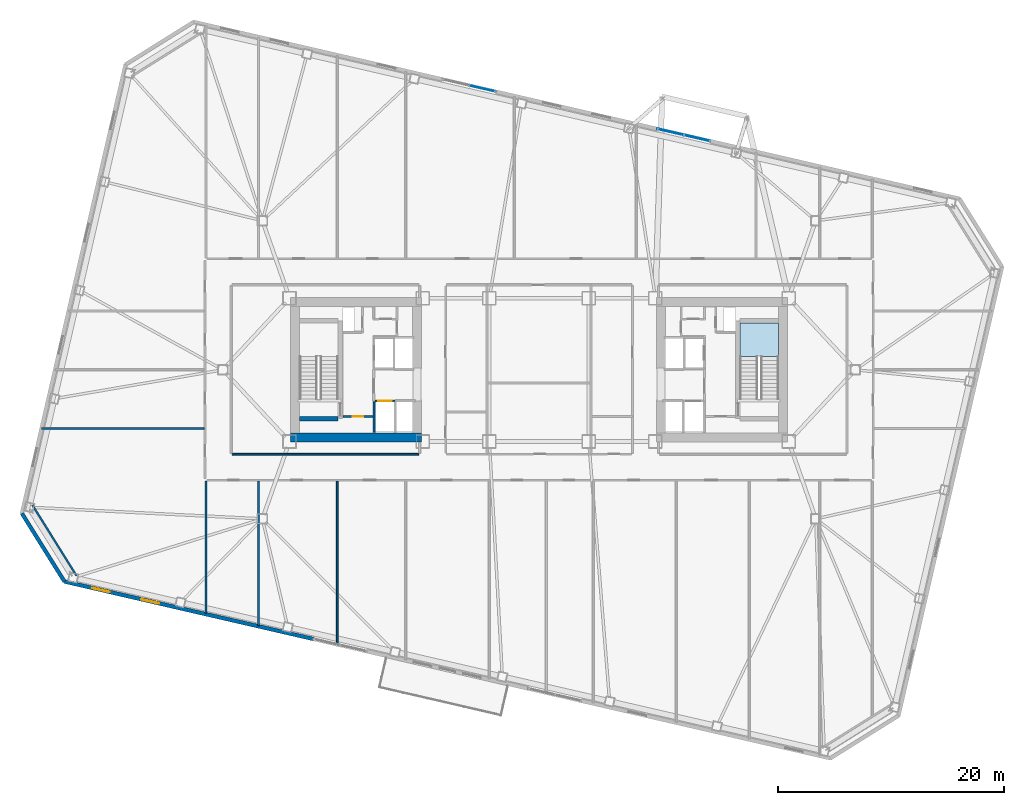
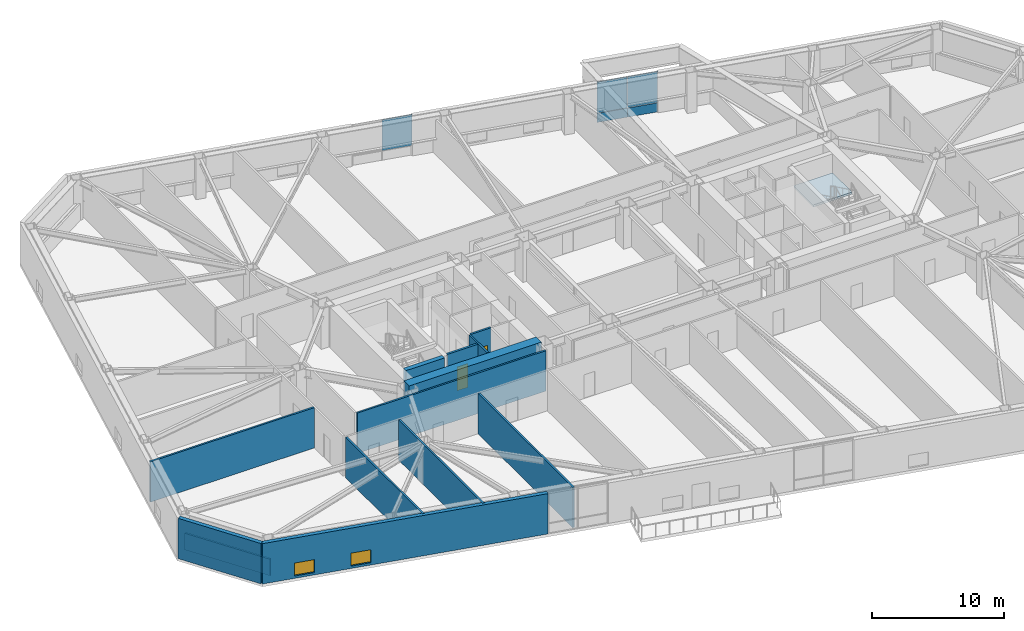
# One storey, part 9 of 21: 13 walls, 5 plates, 2 doors, 2 windows, 1 slab, 4 openings, 3 elements without a shape of their own.
"""IFC4 building model written with IfcOpenShell, lengths in metres."""

from ifc_helpers import new_model, si_unit, direction, frame, frame_2d, origin, origin_2d, place, context, subcontext, project, spatial, polyline, rectangle, outline, extrude, material, layer, layer_set, type_object, element, fill, aggregate, save


model = new_model("IFC4")

# Units and contexts
model_context = context("Model", 3, precision=1e-05, world=origin(), true_north=direction((0.0, 1.0)))
body_context = subcontext(model_context, "Body", "Model", "MODEL_VIEW")
ifc_project = project(units=[si_unit("LENGTHUNIT", "METRE"), si_unit("AREAUNIT", "SQUARE_METRE"), si_unit("VOLUMEUNIT", "CUBIC_METRE"), si_unit("PLANEANGLEUNIT", "RADIAN"), si_unit("MASSUNIT", "GRAM", prefix="KILO")], contexts=[model_context])

# Site, building, storey
site_placement = place(None, origin())
site = spatial("IfcSite", under=ifc_project, at=site_placement, CompositionType="ELEMENT")
building_placement = place(site_placement, origin())
building = spatial("IfcBuilding", under=site, at=building_placement, Name="Tavrogorsk Clinical Tower", CompositionType="ELEMENT")
storey_placement = place(building_placement, frame((0.0, 0.0, 59.39990234375)))
storey = spatial("IfcBuildingStorey", under=building, at=storey_placement, Name="L12", CompositionType="ELEMENT", Elevation=59.39990234375)

# Curtain wall, plates
ifc_material_1 = material(Name="Anodised aluminium and triple IGU glazing", Category="aluminium")
ifc_layer_1 = layer(ifc_material_1, 0.179931640625)
ifc_layer_set_1 = layer_set([ifc_layer_1], Name="Anodised aluminium and triple IGU glazing")
curtain_wall_type = type_object("IfcCurtainWallType", Name="CW2_NorthSlot", PredefinedType="NOTDEFINED", material=ifc_layer_set_1)
curtain_wall_1_placement = place(storey_placement, origin())
curtain_wall_1 = element("IfcCurtainWall", 1, at=curtain_wall_1_placement, inside=storey, type_object=curtain_wall_type, Name="L12 Curtain Wall CW-L12-N-SLOT-2", PredefinedType="NOTDEFINED")
ifc_material_2 = material(Name="Honed Podolsk limestone spandrel panel", Category="masonry")
ifc_layer_2 = layer(ifc_material_2, 0.080078125)
ifc_layer_set_2 = layer_set([ifc_layer_2], Name="Honed Podolsk limestone spandrel panel")
plate_type_1 = type_object("IfcPlateType", Name="CwSpandrelStonePanel_80", PredefinedType="CURTAIN_PANEL", material=ifc_layer_set_2)
plate_1_placement = place(storey_placement, frame((13.996337890625, 20.513427734375, 0.002197265625), z_axis=(0.0, 0.0, 1.0), x_axis=(-0.974370046851, 0.224951132027, 0.0)))
plate_1 = element("IfcPlate", 2, at=plate_1_placement, type_object=plate_type_1, Name="CW-L12-N-SLOT-2 Stone Spandrel Panel 1", PredefinedType="CURTAIN_PANEL", context=body_context, shape_type="SweptSolid", body=[
    extrude(rectangle(XDim=2.39208984375, YDim=0.080078125, at=origin_2d()), origin(), (0.0, 0.0, 1.0), 0.8359375),
])
plate_2_placement = place(storey_placement, frame((11.642333984375, 21.05712890625, 0.002197265625), z_axis=(0.0, 0.0, 1.0), x_axis=(-0.974370046851, 0.224951132027, 0.0)))
plate_2 = element("IfcPlate", 3, at=plate_2_placement, type_object=plate_type_1, Name="CW-L12-N-SLOT-2 Stone Spandrel Panel 2", PredefinedType="CURTAIN_PANEL", context=body_context, shape_type="SweptSolid", body=[
    extrude(rectangle(XDim=2.39208984375, YDim=0.080078125, at=origin_2d()), origin(), (0.0, 0.0, 1.0), 0.8359375),
])

# Curtain wall, plate
curtain_wall_2_placement = place(storey_placement, origin())
curtain_wall_2 = element("IfcCurtainWall", 4, at=curtain_wall_2_placement, inside=storey, type_object=curtain_wall_type, Name="L12 Curtain Wall CW-L12-N-SLOT-1", PredefinedType="NOTDEFINED")
ifc_material_3 = material(Name="Triple low-E argon insulated glass", Category="glass")
ifc_layer_3 = layer(ifc_material_3, 0.048095703125)
ifc_layer_set_3 = layer_set([ifc_layer_3], Name="Triple low-E argon insulated glass")
plate_type_2 = type_object("IfcPlateType", Name="CwVisionGlassPanel_48", PredefinedType="CURTAIN_PANEL", material=ifc_layer_set_3)
plate_3_placement = place(storey_placement, frame((-5.001220703125, 24.8994140625, 0.862060546875), z_axis=(0.0, 0.0, 1.0), x_axis=(-0.974370102963, 0.224950888978, 0.0)))
plate_3 = element("IfcPlate", 5, at=plate_3_placement, type_object=plate_type_2, Name="CW-L12-N-SLOT-1 Glazing Panel 1", PredefinedType="CURTAIN_PANEL", context=body_context, shape_type="SweptSolid", body=[
    extrude(rectangle(XDim=2.39208984375, YDim=0.048095703125, at=origin_2d()), origin(), (0.0, 0.0, 1.0), 2.8759765625),
])
aggregate(curtain_wall_2, [plate_3])

# Plate
plate_4_placement = place(storey_placement, frame((13.996337890625, 20.513427734375, 0.862060546875), z_axis=(0.0, 0.0, 1.0), x_axis=(-0.974370046851, 0.224951132027, 0.0)))
plate_4 = element("IfcPlate", 6, at=plate_4_placement, type_object=plate_type_2, Name="CW-L12-N-SLOT-2 Glazing Panel 1", PredefinedType="CURTAIN_PANEL", context=body_context, shape_type="SweptSolid", body=[
    extrude(rectangle(XDim=2.39208984375, YDim=0.048095703125, at=origin_2d()), origin(), (0.0, 0.0, 1.0), 2.8759765625),
])

plate_5_placement = place(storey_placement, frame((11.642333984375, 21.05712890625, 0.862060546875), z_axis=(0.0, 0.0, 1.0), x_axis=(-0.974370046851, 0.224951132027, 0.0)))
plate_5 = element("IfcPlate", 7, at=plate_5_placement, type_object=plate_type_2, Name="CW-L12-N-SLOT-2 Glazing Panel 2", PredefinedType="CURTAIN_PANEL", context=body_context, shape_type="SweptSolid", body=[
    extrude(rectangle(XDim=2.39208984375, YDim=0.048095703125, at=origin_2d()), origin(), (0.0, 0.0, 1.0), 2.8759765625),
])

aggregate(curtain_wall_1, [plate_1, plate_4, plate_2, plate_5])

# Stair, slab
ifc_material_4 = material(Name="Concrete B60", Category="concrete")
stair_type = type_object("IfcStairType", Name="CoreStairAssembly", PredefinedType="HALF_TURN_STAIR", material=ifc_material_4)
stair_placement = place(storey_placement, origin())
stair = element("IfcStair", 8, at=stair_placement, inside=storey, type_object=stair_type, Name="L12 ST-E", PredefinedType="HALF_TURN_STAIR")
ifc_material_5 = material(Name="Concrete B60", Category="concrete")
ifc_layer_4 = layer(ifc_material_5, 0.199951171875)
ifc_layer_set_4 = layer_set([ifc_layer_4], Name="Concrete B60")
slab_type = type_object("IfcSlabType", Name="StairLanding_200", PredefinedType="LANDING", material=ifc_layer_set_4)
slab_placement = place(storey_placement, frame((0.0, 0.0, 1.800048828125)))
slab = element("IfcSlab", 9, at=slab_placement, type_object=slab_type, Name="ST-E landing 1", PredefinedType="LANDING", context=body_context, shape_type="SweptSolid", body=[
    extrude(outline(polyline([(21.199951171875, 1.1650390625), (21.199951171875, 4.125), (17.800048828125, 4.125), (17.800048828125, 1.1650390625), (21.199951171875, 1.1650390625)])), origin(), (0.0, 0.0, 1.0), 0.199951171875),
])
aggregate(stair, [slab])

# Wall, opening, door
ifc_material_6 = material(Name="Concrete B60", Category="concrete")
ifc_layer_5 = layer(ifc_material_6, 0.199951171875)
ifc_layer_set_5 = layer_set([ifc_layer_5], Name="Concrete B60")
wall_type_1 = type_object("IfcWallType", Name="CoreFireWall_200", PredefinedType="SOLIDWALL", material=ifc_layer_set_5)
wall_1_placement = place(storey_placement, frame((-17.3798828125, -4.139892578125, 0.0), z_axis=(0.0, 0.0, 1.0), x_axis=(1.0, 0.0, 0.0)))
wall_1 = element("IfcWall", 10, at=wall_1_placement, inside=storey, type_object=wall_type_1, Name="L12 Core West South Core Room Fire Wall", PredefinedType="SOLIDWALL", context=body_context, shape_type="SweptSolid", body=[
    extrude(rectangle(XDim=2.659912109375, YDim=0.199951171875, at=frame_2d((1.330078125, 0.0))), origin(), (0.0, 0.0, 1.0), 3.739990234375),
])
opening_1_placement = place(wall_1_placement, frame((0.8798828125, 0.0, 0.0)))
opening_1 = element("IfcOpeningElement", 11, at=opening_1_placement, cuts=wall_1, Name="Opening ID-02", PredefinedType="OPENING", context=body_context, shape_type="SweptSolid", body=[
    extrude(rectangle(XDim=0.949951171875, YDim=2.199951171875, at=frame_2d((0.47509765625, 1.10009765625))), frame((0.0, 0.10986328125, 0.0), z_axis=(0.0, -1.0, 0.0), x_axis=(1.0, 0.0, 0.0)), (0.0, 0.0, 1.0), 0.219970703125),
])
ifc_material_7 = material(Name="Laminated timber leaf on aluminium frame", Category="wood")
door_type_1 = type_object("IfcDoorType", Name="InteriorDoor_ID02_950", OperationType="NOTDEFINED", PredefinedType="DOOR", material=ifc_material_7)
door_1_placement = place(opening_1_placement, origin())
door_1 = element("IfcDoor", 12, at=door_1_placement, inside=storey, type_object=door_type_1, Name="L12 Core West South Core Room Door", OperationType="SINGLE_SWING_RIGHT", OverallHeight=2.199951171875, OverallWidth=0.949951171875, PredefinedType="DOOR", context=body_context, shape_type="SweptSolid", body=[
    extrude(rectangle(XDim=0.949951171875, YDim=2.199951171875, at=frame_2d((0.47509765625, 1.10009765625))), frame((0.0, 0.02490234375, 0.0), z_axis=(0.0, -1.0, 0.0), x_axis=(1.0, 0.0, 0.0)), (0.0, 0.0, 1.0), 0.050048828125),
])
fill(opening_1, door_1)

# Walls
ifc_material_8 = material(Name="Lightweight concrete blockwork B15", Category="masonry")
ifc_layer_6 = layer(ifc_material_8, 0.159912109375)
ifc_layer_set_6 = layer_set([ifc_layer_6], Name="Lightweight concrete blockwork B15")
wall_type_2 = type_object("IfcWallType", Name="PartitionWall_160", PredefinedType="PARTITIONING", material=ifc_layer_set_6)
wall_2_placement = place(storey_placement, frame((-44.85986328125, -11.9892578125, 0.0), z_axis=(0.0, 0.0, 1.0), x_axis=(0.52991239767, -0.848052386823, 0.0)))
element("IfcWall", 13, at=wall_2_placement, inside=storey, type_object=wall_type_2, Name="L12 Corner Exoskeleton Brace Furring Wall 4", PredefinedType="PARTITIONING", context=body_context, shape_type="SweptSolid", body=[
    extrude(rectangle(XDim=7.35400390625, YDim=0.159912109375, at=frame_2d((3.677001953125, 0.0))), origin(), (0.0, 0.0, 1.0), 1.53515625),
])
wall_3_placement = place(storey_placement, frame((-27.18505859375, -7.469970703125, 0.0), z_axis=(0.0, 0.0, 1.0), x_axis=(1.0, 0.0, 0.0)))
element("IfcWall", 14, at=wall_3_placement, inside=storey, type_object=wall_type_2, Name="L12 Corridor Partition 18", PredefinedType="PARTITIONING", context=body_context, shape_type="SweptSolid", body=[
    extrude(rectangle(XDim=16.52001953125, YDim=0.159912109375, at=frame_2d((8.260009765625, 0.0))), origin(), (0.0, 0.0, 1.0), 3.739990234375),
])
wall_4_placement = place(storey_placement, frame((-29.5, -21.570556640625, 0.0), z_axis=(0.0, 0.0, 1.0), x_axis=(0.0, 1.0, 0.0)))
element("IfcWall", 15, at=wall_4_placement, inside=storey, type_object=wall_type_2, Name="L12 SW Wing Closure Partition", PredefinedType="PARTITIONING", context=body_context, shape_type="SweptSolid", body=[
    extrude(rectangle(XDim=11.70556640625, YDim=0.159912109375, at=frame_2d((5.852783203125, 0.0))), origin(), (0.0, 0.0, 1.0), 3.739990234375),
])
wall_5_placement = place(storey_placement, frame((-24.85009765625, -22.64404296875, 0.0), z_axis=(0.0, 0.0, 1.0), x_axis=(0.0, 1.0, 0.0)))
element("IfcWall", 16, at=wall_5_placement, inside=storey, type_object=wall_type_2, Name="L12 South Room Partition 1", PredefinedType="PARTITIONING", context=body_context, shape_type="SweptSolid", body=[
    extrude(rectangle(XDim=12.779052734375, YDim=0.159912109375, at=frame_2d((6.3896484375, 0.0))), origin(), (0.0, 0.0, 1.0), 3.739990234375),
])
wall_6_placement = place(storey_placement, frame((-17.8798828125, -24.253173828125, 0.0), z_axis=(0.0, 0.0, 1.0), x_axis=(0.0, 1.0, 0.0)))
element("IfcWall", 17, at=wall_6_placement, inside=storey, type_object=wall_type_2, Name="L12 South Sub-Partition 2", PredefinedType="PARTITIONING", context=body_context, shape_type="SweptSolid", body=[
    extrude(rectangle(XDim=14.38818359375, YDim=0.159912109375, at=frame_2d((7.194091796875, 0.0))), origin(), (0.0, 0.0, 1.0), 3.739990234375),
])
wall_7_placement = place(storey_placement, frame((-44.0419921875, -5.199951171875, 0.0), z_axis=(0.0, 0.0, 1.0), x_axis=(1.0, 0.0, 0.0)))
element("IfcWall", 18, at=wall_7_placement, inside=storey, type_object=wall_type_2, Name="L12 W Wing Divider 1", PredefinedType="PARTITIONING", context=body_context, shape_type="SweptSolid", body=[
    extrude(rectangle(XDim=14.376953125, YDim=0.159912109375, at=frame_2d((7.1884765625, 0.0))), origin(), (0.0, 0.0, 1.0), 3.739990234375),
])

# Wall, openings, windows
ifc_material_9 = material(Name="Precast concrete B45 with limestone cladding", Category="masonry")
ifc_layer_7 = layer(ifc_material_9, 0.340087890625)
ifc_layer_set_7 = layer_set([ifc_layer_7], Name="Precast concrete B45 with limestone cladding")
wall_type_3 = type_object("IfcWallType", Name="PrecastLimestoneWall_340", PredefinedType="STANDARD", material=ifc_layer_set_7)
wall_8_placement = place(storey_placement, frame((-42.028564453125, -18.75, 0.0), z_axis=(0.0, 0.0, 1.0), x_axis=(0.97436993772, -0.224951604723, 0.0)))
wall_8 = element("IfcWall", 19, at=wall_8_placement, inside=storey, type_object=wall_type_3, Name="L12 S Limestone Facade Wall 1", PredefinedType="STANDARD", context=body_context, shape_type="SweptSolid", body=[
    extrude(rectangle(XDim=22.6513671875, YDim=0.340087890625, at=frame_2d((11.32568359375, 0.0))), origin(), (0.0, 0.0, 1.0), 3.739990234375),
])
opening_2_placement = place(wall_8_placement, frame((2.51220703125, 0.0, 0.219970703125)))
opening_2 = element("IfcOpeningElement", 20, at=opening_2_placement, cuts=wall_8, Name="Opening WN-09", PredefinedType="OPENING", context=body_context, shape_type="SweptSolid", body=[
    extrude(rectangle(XDim=1.60009765625, YDim=1.199951171875, at=frame_2d((0.800048828125, 0.60009765625))), frame((0.0, 0.179931640625, 0.0), z_axis=(0.0, -1.0, 0.0), x_axis=(1.0, 0.0, 0.0)), (0.0, 0.0, 1.0), 0.360107421875),
])
opening_3_placement = place(wall_8_placement, frame((6.99658203125, 0.0, 0.219970703125)))
opening_3 = element("IfcOpeningElement", 21, at=opening_3_placement, cuts=wall_8, Name="Opening WN-09", PredefinedType="OPENING", context=body_context, shape_type="SweptSolid", body=[
    extrude(rectangle(XDim=1.60009765625, YDim=1.199951171875, at=frame_2d((0.800048828125, 0.60009765625))), frame((0.0, 0.179931640625, 0.0), z_axis=(0.0, -1.0, 0.0), x_axis=(1.0, 0.0, 0.0)), (0.0, 0.0, 1.0), 0.360107421875),
])
ifc_material_10 = material(Name="Thermally broken aluminium frame and triple IGU", Category="aluminium")
window_type = type_object("IfcWindowType", Name="LowHeadTransWin_1600x1200", PartitioningType="DOUBLE_PANEL_VERTICAL", PredefinedType="WINDOW", material=ifc_material_10)
window_1_placement = place(opening_2_placement, origin())
window_1 = element("IfcWindow", 22, at=window_1_placement, inside=storey, type_object=window_type, Name="L12 S Chicago Window 01", OverallHeight=1.199951171875, OverallWidth=1.60009765625, PartitioningType="SINGLE_PANEL", PredefinedType="WINDOW", context=body_context, shape_type="SweptSolid", body=[
    extrude(rectangle(XDim=1.60009765625, YDim=1.199951171875, at=frame_2d((0.800048828125, 0.60009765625))), frame((0.0, 0.030029296875, 0.0), z_axis=(0.0, -1.0, 0.0), x_axis=(1.0, 0.0, 0.0)), (0.0, 0.0, 1.0), 0.06005859375),
])
fill(opening_2, window_1)
window_2_placement = place(opening_3_placement, origin())
window_2 = element("IfcWindow", 23, at=window_2_placement, inside=storey, type_object=window_type, Name="L12 S Chicago Window 02", OverallHeight=1.199951171875, OverallWidth=1.60009765625, PartitioningType="SINGLE_PANEL", PredefinedType="WINDOW", context=body_context, shape_type="SweptSolid", body=[
    extrude(rectangle(XDim=1.60009765625, YDim=1.199951171875, at=frame_2d((0.800048828125, 0.60009765625))), frame((0.0, 0.030029296875, 0.0), z_axis=(0.0, -1.0, 0.0), x_axis=(1.0, 0.0, 0.0)), (0.0, 0.0, 1.0), 0.06005859375),
])
fill(opening_3, window_2)

# Wall
wall_9_placement = place(storey_placement, frame((-45.798095703125, -12.71728515625, 0.0), z_axis=(0.0, 0.0, 1.0), x_axis=(0.529906387556, -0.848056142261, 0.0)))
element("IfcWall", 24, at=wall_9_placement, inside=storey, type_object=wall_type_3, Name="L12 Chamfered Corner Wall 4", PredefinedType="STANDARD", context=body_context, shape_type="SweptSolid", body=[
    extrude(rectangle(XDim=7.113525390625, YDim=0.340087890625, at=frame_2d((3.556640625, 0.0))), origin(), (0.0, 0.0, 1.0), 3.739990234375),
])

# Wall, opening, door
ifc_material_11 = material(Name="Lightweight concrete blockwork B25", Category="masonry")
ifc_layer_8 = layer(ifc_material_11, 0.159912109375)
ifc_layer_set_8 = layer_set([ifc_layer_8], Name="Lightweight concrete blockwork B25")
wall_type_4 = type_object("IfcWallType", Name="ShaftWall_160", PredefinedType="PARTITIONING", material=ifc_layer_set_8)
wall_10_placement = place(storey_placement, frame((-14.530029296875, -2.75, 0.0), z_axis=(0.0, 0.0, 1.0), x_axis=(1.0, 0.0, 0.0)))
wall_10 = element("IfcWall", 25, at=wall_10_placement, inside=storey, type_object=wall_type_4, Name="L12 LP-L1 Lift Shaft Portal Wall", PredefinedType="PARTITIONING", context=body_context, shape_type="SweptSolid", body=[
    extrude(rectangle(XDim=1.760009765625, YDim=0.159912109375, at=frame_2d((0.8798828125, 0.0))), origin(), (0.0, 0.0, 1.0), 3.739990234375),
])
opening_4_placement = place(wall_10_placement, frame((0.280029296875, 0.0, 0.0)))
opening_4 = element("IfcOpeningElement", 26, at=opening_4_placement, cuts=wall_10, Name="Opening LD", PredefinedType="OPENING", context=body_context, shape_type="SweptSolid", body=[
    extrude(rectangle(XDim=1.199951171875, YDim=2.199951171875, at=frame_2d((0.60009765625, 1.10009765625))), frame((0.0, 0.08984375, 0.0), z_axis=(0.0, -1.0, 0.0), x_axis=(1.0, 0.0, 0.0)), (0.0, 0.0, 1.0), 0.179931640625),
])
ifc_material_12 = material(Name="Brushed stainless steel AISI 304 sliding doors", Category="steel")
door_type_2 = type_object("IfcDoorType", Name="LiftLandingDoor_LD_1200", OperationType="SLIDING_TO_LEFT", PredefinedType="DOOR", material=ifc_material_12)
door_2_placement = place(opening_4_placement, origin())
door_2 = element("IfcDoor", 27, at=door_2_placement, inside=storey, type_object=door_type_2, Name="L12 LP-L1 Sliding Lift Landing Door", OperationType="SLIDING_TO_LEFT", OverallHeight=2.199951171875, OverallWidth=1.199951171875, PredefinedType="DOOR", context=body_context, shape_type="SweptSolid", body=[
    extrude(rectangle(XDim=1.199951171875, YDim=2.199951171875, at=frame_2d((0.60009765625, 1.10009765625))), frame((0.0, 0.02490234375, 0.0), z_axis=(0.0, -1.0, 0.0), x_axis=(1.0, 0.0, 0.0)), (0.0, 0.0, 1.0), 0.050048828125),
])
fill(opening_4, door_2)

# Walls
wall_11_placement = place(storey_placement, frame((-14.610107421875, -5.5400390625, 0.0), z_axis=(0.0, 0.0, 1.0), x_axis=(0.0, 1.0, 0.0)))
element("IfcWall", 28, at=wall_11_placement, inside=storey, type_object=wall_type_4, Name="L12 LP-L1 Lift Hoistway Outer Cheek Wall", PredefinedType="PARTITIONING", context=body_context, shape_type="SweptSolid", body=[
    extrude(rectangle(XDim=2.699951171875, YDim=0.159912109375, at=frame_2d((1.35009765625, 0.0))), origin(), (0.0, 0.0, 1.0), 3.739990234375),
])
ifc_material_13 = material(Name="Concrete B80", Category="concrete")
ifc_layer_9 = layer(ifc_material_13, 0.39990234375)
ifc_layer_set_9 = layer_set([ifc_layer_9], Name="Concrete B80")
wall_type_5 = type_object("IfcWallType", Name="ShearWall_400", PredefinedType="SHEAR", material=ifc_layer_set_9)
wall_12_placement = place(storey_placement, frame((-21.199951171875, -4.324951171875, 0.0), z_axis=(0.0, 0.0, 1.0), x_axis=(1.0, 0.0, 0.0)))
element("IfcWall", 29, at=wall_12_placement, inside=storey, type_object=wall_type_5, Name="L12 Core West Stair Shaft South Shear Wall", PredefinedType="SHEAR", context=body_context, shape_type="SweptSolid", body=[
    extrude(rectangle(XDim=3.39990234375, YDim=0.39990234375, at=frame_2d((1.699951171875, 0.0))), origin(), (0.0, 0.0, 1.0), 3.739990234375),
])
ifc_material_14 = material(Name="Concrete B80", Category="concrete")
ifc_layer_10 = layer(ifc_material_14, 0.800048828125)
ifc_layer_set_10 = layer_set([ifc_layer_10], Name="Concrete B80")
wall_type_6 = type_object("IfcWallType", Name="ShearWall_800", PredefinedType="SHEAR", material=ifc_layer_set_10)
wall_13_placement = place(storey_placement, frame((-22.0, -6.0, 0.0), z_axis=(0.0, 0.0, 1.0), x_axis=(1.0, 0.0, 0.0)))
element("IfcWall", 30, at=wall_13_placement, inside=storey, type_object=wall_type_6, Name="L12 Core West South Shear Wall", PredefinedType="SHEAR", context=body_context, shape_type="SweptSolid", body=[
    extrude(rectangle(XDim=11.60009765625, YDim=0.800048828125, at=frame_2d((5.800048828125, 0.0))), origin(), (0.0, 0.0, 1.0), 3.739990234375),
])

save(model, "model.ifc")
